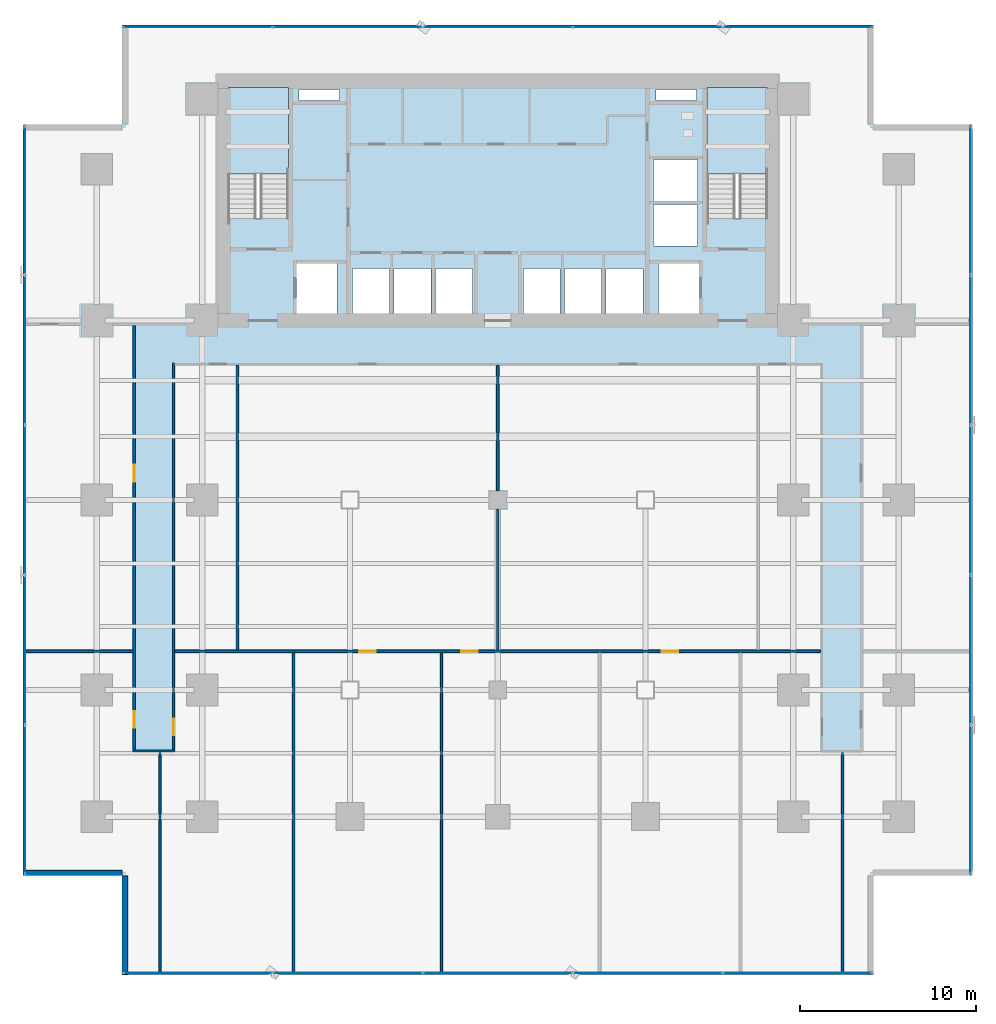
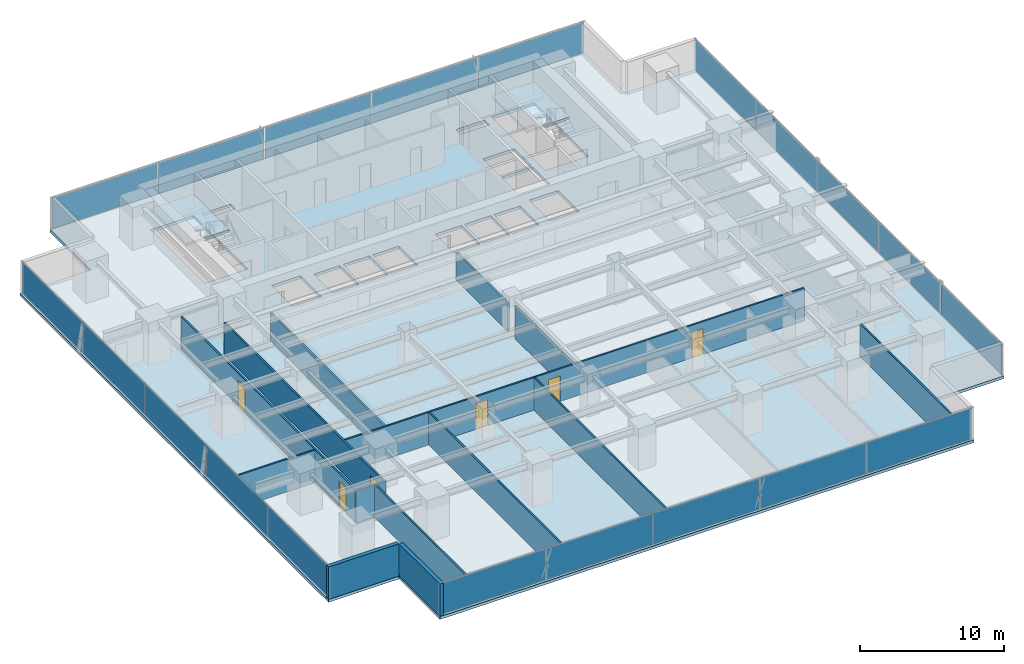
# One storey, part 24 of 33: 20 plates, 14 walls, 6 doors, 3 slabs, 6 openings, 6 elements without a shape of their own.
"""IFC4 building model written with IfcOpenShell, lengths in metres."""

from ifc_helpers import new_model, si_unit, direction, frame, frame_2d, origin, origin_2d, place, context, subcontext, project, spatial, polyline, rectangle, outline, extrude, source, transform, mapped, material, layer, layer_set, type_object, element, fill, aggregate, save


model = new_model("IFC4")

# Units and contexts
model_context = context("Model", 3, precision=1e-05, world=origin(), true_north=direction((0.0, 1.0)))
body_context = subcontext(model_context, "Body", "Model", "MODEL_VIEW")
ifc_project = project(units=[si_unit("LENGTHUNIT", "METRE"), si_unit("AREAUNIT", "SQUARE_METRE"), si_unit("VOLUMEUNIT", "CUBIC_METRE"), si_unit("PLANEANGLEUNIT", "RADIAN"), si_unit("MASSUNIT", "GRAM", prefix="KILO")], contexts=[model_context])

# Site, building, storey
site_placement = place(None, origin())
site = spatial("IfcSite", under=ifc_project, at=site_placement, CompositionType="ELEMENT")
building_placement = place(site_placement, origin())
building = spatial("IfcBuilding", under=site, at=building_placement, Name="Sumidabori Civic Tower", CompositionType="ELEMENT")
storey_placement = place(building_placement, frame((0.0, 0.0, 38.0)))
storey = spatial("IfcBuildingStorey", under=building, at=storey_placement, Name="L09", CompositionType="ELEMENT", Elevation=38.0)

# Stair, slab
ifc_material_1 = material(Name="Concrete C40/50", Category="concrete")
stair_type = type_object("IfcStairType", Name="ST-CORE-1600", PredefinedType="HALF_TURN_STAIR", material=ifc_material_1)
stair_1_placement = place(storey_placement, origin())
stair_1 = element("IfcStair", 1, at=stair_1_placement, inside=storey, type_object=stair_type, Name="L09 ST-1", PredefinedType="HALF_TURN_STAIR")
ifc_layer_1 = layer(ifc_material_1, 0.199951171875, Name="Concrete C40/50")
ifc_layer_set_1 = layer_set([ifc_layer_1], Name="Concrete C40/50")
slab_type_1 = type_object("IfcSlabType", Name="SL-LAND-200", PredefinedType="LANDING", material=ifc_layer_set_1)
slab_1_placement = place(storey_placement, frame((0.0, 0.0, 1.60009765625)))
slab_1 = element("IfcSlab", 2, at=slab_1_placement, type_object=slab_type_1, Name="ST-1 landing 1", PredefinedType="LANDING", context=body_context, shape_type="SweptSolid", body=[
    extrude(outline(polyline([(-11.89990234375, 18.52001953125), (-11.89990234375, 23.449951171875), (-15.340087890625, 23.449951171875), (-15.340087890625, 18.52001953125), (-11.89990234375, 18.52001953125)])), origin(), (0.0, 0.0, 1.0), 0.199951171875),
])
aggregate(stair_1, [slab_1])

stair_2_placement = place(storey_placement, origin())
stair_2 = element("IfcStair", 3, at=stair_2_placement, inside=storey, type_object=stair_type, Name="L09 ST-2", PredefinedType="HALF_TURN_STAIR")
slab_2_placement = place(storey_placement, frame((0.0, 0.0, 1.60009765625)))
slab_2 = element("IfcSlab", 4, at=slab_2_placement, type_object=slab_type_1, Name="ST-2 landing 1", PredefinedType="LANDING", context=body_context, shape_type="SweptSolid", body=[
    extrude(outline(polyline([(15.340087890625, 18.52001953125), (15.340087890625, 23.449951171875), (11.89990234375, 23.449951171875), (11.89990234375, 18.52001953125), (15.340087890625, 18.52001953125)])), origin(), (0.0, 0.0, 1.0), 0.199951171875),
])
aggregate(stair_2, [slab_2])

# Slab
ifc_layer_2 = layer(ifc_material_1, 0.239990234375, Name="Concrete C40/50")
ifc_layer_set_2 = layer_set([ifc_layer_2], Name="Concrete C40/50")
slab_type_2 = type_object("IfcSlabType", Name="SL-Z1-240", PredefinedType="FLOOR", material=ifc_layer_set_2)
slab_3_placement = place(storey_placement, frame((0.0, 0.0, -0.239990234375)))
element("IfcSlab", 5, at=slab_3_placement, inside=storey, type_object=slab_type_2, Name="Structural Slab L09", PredefinedType="FLOOR", context=body_context, shape_type="SweptSolid", body=[
    extrude(outline(polyline([(-21.35009765625, -27.0), (21.35009765625, -27.0), (21.35009765625, -21.35009765625), (27.0, -21.35009765625), (27.0, 21.35009765625), (21.35009765625, 21.35009765625), (21.35009765625, 27.0), (-21.35009765625, 27.0), (-21.35009765625, 21.35009765625), (-27.0, 21.35009765625), (-27.0, -21.35009765625), (-21.35009765625, -21.35009765625), (-21.35009765625, -27.0)]), holes=[polyline([(-11.89990234375, 16.0), (-11.89990234375, 23.449951171875), (-15.340087890625, 23.449951171875), (-15.340087890625, 16.0), (-11.89990234375, 16.0)]), polyline([(15.340087890625, 16.0), (15.340087890625, 23.449951171875), (11.89990234375, 23.449951171875), (11.89990234375, 16.0), (15.340087890625, 16.0)]), polyline([(-11.449951171875, 10.550048828125), (-9.14990234375, 10.550048828125), (-9.14990234375, 13.449951171875), (-11.449951171875, 13.449951171875), (-11.449951171875, 10.550048828125)]), polyline([(9.14990234375, 10.550048828125), (11.449951171875, 10.550048828125), (11.449951171875, 13.449951171875), (9.14990234375, 13.449951171875), (9.14990234375, 10.550048828125)]), polyline([(-8.25, 10.550048828125), (-6.14990234375, 10.550048828125), (-6.14990234375, 13.14990234375), (-8.25, 13.14990234375), (-8.25, 10.550048828125)]), polyline([(-5.89990234375, 10.550048828125), (-3.800048828125, 10.550048828125), (-3.800048828125, 13.14990234375), (-5.89990234375, 13.14990234375), (-5.89990234375, 10.550048828125)]), polyline([(-3.550048828125, 10.550048828125), (-1.449951171875, 10.550048828125), (-1.449951171875, 13.14990234375), (-3.550048828125, 13.14990234375), (-3.550048828125, 10.550048828125)]), polyline([(1.449951171875, 10.550048828125), (3.550048828125, 10.550048828125), (3.550048828125, 13.14990234375), (1.449951171875, 13.14990234375), (1.449951171875, 10.550048828125)]), polyline([(3.800048828125, 10.550048828125), (5.89990234375, 10.550048828125), (5.89990234375, 13.14990234375), (3.800048828125, 13.14990234375), (3.800048828125, 10.550048828125)]), polyline([(6.14990234375, 10.550048828125), (8.25, 10.550048828125), (8.25, 13.14990234375), (6.14990234375, 13.14990234375), (6.14990234375, 10.550048828125)]), polyline([(8.85009765625, 14.449951171875), (11.35009765625, 14.449951171875), (11.35009765625, 16.800048828125), (8.85009765625, 16.800048828125), (8.85009765625, 14.449951171875)]), polyline([(8.85009765625, 17.0), (11.35009765625, 17.0), (11.35009765625, 19.35009765625), (8.85009765625, 19.35009765625), (8.85009765625, 17.0)]), polyline([(-11.300048828125, 22.719970703125), (-9.0, 22.719970703125), (-9.0, 23.35009765625), (-11.300048828125, 23.35009765625), (-11.300048828125, 22.719970703125)]), polyline([(9.0, 22.719970703125), (11.300048828125, 22.719970703125), (11.300048828125, 23.35009765625), (9.0, 23.35009765625), (9.0, 22.719970703125)])]), origin(), (0.0, 0.0, 1.0), 0.239990234375),
])

# Curtain wall, plates
ifc_material_2 = material(Name="Anodised Bronze Aluminium AW-6063-T6", Category="aluminium")
ifc_layer_3 = layer(ifc_material_2, 0.179931640625, Name="Anodised Bronze Aluminium AW-6063-T6")
ifc_layer_set_3 = layer_set([ifc_layer_3], Name="Anodised Bronze Aluminium AW-6063-T6")
curtain_wall_type = type_object("IfcCurtainWallType", Name="CW-SYS-2", PredefinedType="NOTDEFINED", material=ifc_layer_set_3)
curtain_wall_1_placement = place(storey_placement, origin())
curtain_wall_1 = element("IfcCurtainWall", 6, at=curtain_wall_1_placement, inside=storey, type_object=curtain_wall_type, Name="Curtain Wall CW:L09:R01", PredefinedType="NOTDEFINED")
ifc_material_3 = material(Name="Low-E Solar-Control Vision Glazing", Category="glass")
ifc_layer_4 = layer(ifc_material_3, 0.028076171875, Name="Low-E Solar-Control Vision Glazing")
ifc_layer_set_4 = layer_set([ifc_layer_4], Name="Low-E Solar-Control Vision Glazing")
plate_type = type_object("IfcPlateType", Name="CW-PNL-28", PredefinedType="CURTAIN_PANEL", material=ifc_layer_set_4)
shared_shape_1 = source(origin(), body_context, "Body", "SweptSolid", [
    extrude(rectangle(XDim=8.423095703125, YDim=0.028076171875, at=origin_2d()), origin(), (0.0, 0.0, 1.0), 2.610107421875),
])
plate_1_placement = place(storey_placement, frame((-17.03857421875, -26.8798828125, 0.06494140625), z_axis=(0.0, 0.0, 1.0), x_axis=(1.0, 0.0, 0.0)))
plate_1 = element("IfcPlate", 7, at=plate_1_placement, type_object=plate_type, Name="CW-2 panel 1.1", PredefinedType="CURTAIN_PANEL", context=body_context, shape_type="MappedRepresentation", body=[
    mapped(shared_shape_1, transform((0.0, 0.0, 0.0), x_axis=(1.0, 0.0, 0.0), y_axis=(0.0, 1.0, 0.0), z_axis=(0.0, 0.0, 1.0), scale=1.0)),
])
plate_2_placement = place(storey_placement, frame((17.03857421875, -26.8798828125, 0.06494140625), z_axis=(0.0, 0.0, 1.0), x_axis=(1.0, 0.0, 0.0)))
plate_2 = element("IfcPlate", 8, at=plate_2_placement, type_object=plate_type, Name="CW-2 panel 5.1", PredefinedType="CURTAIN_PANEL", context=body_context, shape_type="MappedRepresentation", body=[
    mapped(shared_shape_1, transform((0.0, 0.0, 0.0), x_axis=(1.0, 0.0, 0.0), y_axis=(0.0, 1.0, 0.0), z_axis=(0.0, 0.0, 1.0), scale=1.0)),
])

curtain_wall_2_placement = place(storey_placement, origin())
curtain_wall_2 = element("IfcCurtainWall", 9, at=curtain_wall_2_placement, inside=storey, type_object=curtain_wall_type, Name="Curtain Wall CW:L09:R04", PredefinedType="NOTDEFINED")
plate_3_placement = place(storey_placement, frame((26.8798828125, -17.03857421875, 0.06494140625), z_axis=(0.0, 0.0, 1.0), x_axis=(0.0, 1.0, 0.0)))
plate_3 = element("IfcPlate", 10, at=plate_3_placement, type_object=plate_type, Name="CW-2 panel 1.1", PredefinedType="CURTAIN_PANEL", context=body_context, shape_type="MappedRepresentation", body=[
    mapped(shared_shape_1, transform((0.0, 0.0, 0.0), x_axis=(1.0, 0.0, 0.0), y_axis=(0.0, 1.0, 0.0), z_axis=(0.0, 0.0, 1.0), scale=1.0)),
])
plate_4_placement = place(storey_placement, frame((26.8798828125, 17.03857421875, 0.06494140625), z_axis=(0.0, 0.0, 1.0), x_axis=(0.0, 1.0, 0.0)))
plate_4 = element("IfcPlate", 11, at=plate_4_placement, type_object=plate_type, Name="CW-2 panel 5.1", PredefinedType="CURTAIN_PANEL", context=body_context, shape_type="MappedRepresentation", body=[
    mapped(shared_shape_1, transform((0.0, 0.0, 0.0), x_axis=(1.0, 0.0, 0.0), y_axis=(0.0, 1.0, 0.0), z_axis=(0.0, 0.0, 1.0), scale=1.0)),
])

curtain_wall_3_placement = place(storey_placement, origin())
curtain_wall_3 = element("IfcCurtainWall", 12, at=curtain_wall_3_placement, inside=storey, type_object=curtain_wall_type, Name="Curtain Wall CW:L09:R07", PredefinedType="NOTDEFINED")
plate_5_placement = place(storey_placement, frame((17.03857421875, 26.8798828125, 0.06494140625), z_axis=(0.0, 0.0, 1.0), x_axis=(-1.0, 0.0, 0.0)))
plate_5 = element("IfcPlate", 13, at=plate_5_placement, type_object=plate_type, Name="CW-2 panel 1.1", PredefinedType="CURTAIN_PANEL", context=body_context, shape_type="MappedRepresentation", body=[
    mapped(shared_shape_1, transform((0.0, 0.0, 0.0), x_axis=(1.0, 0.0, 0.0), y_axis=(0.0, 1.0, 0.0), z_axis=(0.0, 0.0, 1.0), scale=1.0)),
])
plate_6_placement = place(storey_placement, frame((-17.03857421875, 26.8798828125, 0.06494140625), z_axis=(0.0, 0.0, 1.0), x_axis=(-1.0, 0.0, 0.0)))
plate_6 = element("IfcPlate", 14, at=plate_6_placement, type_object=plate_type, Name="CW-2 panel 5.1", PredefinedType="CURTAIN_PANEL", context=body_context, shape_type="MappedRepresentation", body=[
    mapped(shared_shape_1, transform((0.0, 0.0, 0.0), x_axis=(1.0, 0.0, 0.0), y_axis=(0.0, 1.0, 0.0), z_axis=(0.0, 0.0, 1.0), scale=1.0)),
])

curtain_wall_4_placement = place(storey_placement, origin())
curtain_wall_4 = element("IfcCurtainWall", 15, at=curtain_wall_4_placement, inside=storey, type_object=curtain_wall_type, Name="Curtain Wall CW:L09:R10", PredefinedType="NOTDEFINED")
plate_7_placement = place(storey_placement, frame((-26.8798828125, 17.03857421875, 0.06494140625), z_axis=(0.0, 0.0, 1.0), x_axis=(0.0, -1.0, 0.0)))
plate_7 = element("IfcPlate", 16, at=plate_7_placement, type_object=plate_type, Name="CW-2 panel 1.1", PredefinedType="CURTAIN_PANEL", context=body_context, shape_type="MappedRepresentation", body=[
    mapped(shared_shape_1, transform((0.0, 0.0, 0.0), x_axis=(1.0, 0.0, 0.0), y_axis=(0.0, 1.0, 0.0), z_axis=(0.0, 0.0, 1.0), scale=1.0)),
])
plate_8_placement = place(storey_placement, frame((-26.8798828125, -17.03857421875, 0.06494140625), z_axis=(0.0, 0.0, 1.0), x_axis=(0.0, -1.0, 0.0)))
plate_8 = element("IfcPlate", 17, at=plate_8_placement, type_object=plate_type, Name="CW-2 panel 5.1", PredefinedType="CURTAIN_PANEL", context=body_context, shape_type="MappedRepresentation", body=[
    mapped(shared_shape_1, transform((0.0, 0.0, 0.0), x_axis=(1.0, 0.0, 0.0), y_axis=(0.0, 1.0, 0.0), z_axis=(0.0, 0.0, 1.0), scale=1.0)),
])

# Plate
shared_shape_2 = source(origin(), body_context, "Body", "SweptSolid", [
    extrude(rectangle(XDim=8.4580078125, YDim=0.028076171875, at=origin_2d()), origin(), (0.0, 0.0, 1.0), 2.610107421875),
])
plate_9_placement = place(storey_placement, frame((-8.528076171875, -26.8798828125, 0.06494140625), z_axis=(0.0, 0.0, 1.0), x_axis=(1.0, 0.0, 0.0)))
plate_9 = element("IfcPlate", 18, at=plate_9_placement, type_object=plate_type, Name="CW-2 panel 2.1", PredefinedType="CURTAIN_PANEL", context=body_context, shape_type="MappedRepresentation", body=[
    mapped(shared_shape_2, transform((0.0, 0.0, 0.0), x_axis=(1.0, 0.0, 0.0), y_axis=(0.0, 1.0, 0.0), z_axis=(0.0, 0.0, 1.0), scale=1.0)),
])

plate_10_placement = place(storey_placement, frame((0.0, -26.8798828125, 0.06494140625), z_axis=(0.0, 0.0, 1.0), x_axis=(1.0, 0.0, 0.0)))
plate_10 = element("IfcPlate", 19, at=plate_10_placement, type_object=plate_type, Name="CW-2 panel 3.1", PredefinedType="CURTAIN_PANEL", context=body_context, shape_type="MappedRepresentation", body=[
    mapped(shared_shape_2, transform((0.0, 0.0, 0.0), x_axis=(1.0, 0.0, 0.0), y_axis=(0.0, 1.0, 0.0), z_axis=(0.0, 0.0, 1.0), scale=1.0)),
])

plate_11_placement = place(storey_placement, frame((8.528076171875, -26.8798828125, 0.06494140625), z_axis=(0.0, 0.0, 1.0), x_axis=(1.0, 0.0, 0.0)))
plate_11 = element("IfcPlate", 20, at=plate_11_placement, type_object=plate_type, Name="CW-2 panel 4.1", PredefinedType="CURTAIN_PANEL", context=body_context, shape_type="MappedRepresentation", body=[
    mapped(shared_shape_2, transform((0.0, 0.0, 0.0), x_axis=(1.0, 0.0, 0.0), y_axis=(0.0, 1.0, 0.0), z_axis=(0.0, 0.0, 1.0), scale=1.0)),
])

aggregate(curtain_wall_1, [plate_1, plate_9, plate_10, plate_11, plate_2])

plate_12_placement = place(storey_placement, frame((26.8798828125, -8.528076171875, 0.06494140625), z_axis=(0.0, 0.0, 1.0), x_axis=(0.0, 1.0, 0.0)))
plate_12 = element("IfcPlate", 21, at=plate_12_placement, type_object=plate_type, Name="CW-2 panel 2.1", PredefinedType="CURTAIN_PANEL", context=body_context, shape_type="MappedRepresentation", body=[
    mapped(shared_shape_2, transform((0.0, 0.0, 0.0), x_axis=(1.0, 0.0, 0.0), y_axis=(0.0, 1.0, 0.0), z_axis=(0.0, 0.0, 1.0), scale=1.0)),
])

plate_13_placement = place(storey_placement, frame((26.8798828125, 0.0, 0.06494140625), z_axis=(0.0, 0.0, 1.0), x_axis=(0.0, 1.0, 0.0)))
plate_13 = element("IfcPlate", 22, at=plate_13_placement, type_object=plate_type, Name="CW-2 panel 3.1", PredefinedType="CURTAIN_PANEL", context=body_context, shape_type="MappedRepresentation", body=[
    mapped(shared_shape_2, transform((0.0, 0.0, 0.0), x_axis=(1.0, 0.0, 0.0), y_axis=(0.0, 1.0, 0.0), z_axis=(0.0, 0.0, 1.0), scale=1.0)),
])

plate_14_placement = place(storey_placement, frame((26.8798828125, 8.528076171875, 0.06494140625), z_axis=(0.0, 0.0, 1.0), x_axis=(0.0, 1.0, 0.0)))
plate_14 = element("IfcPlate", 23, at=plate_14_placement, type_object=plate_type, Name="CW-2 panel 4.1", PredefinedType="CURTAIN_PANEL", context=body_context, shape_type="MappedRepresentation", body=[
    mapped(shared_shape_2, transform((0.0, 0.0, 0.0), x_axis=(1.0, 0.0, 0.0), y_axis=(0.0, 1.0, 0.0), z_axis=(0.0, 0.0, 1.0), scale=1.0)),
])

aggregate(curtain_wall_2, [plate_3, plate_12, plate_13, plate_14, plate_4])

plate_15_placement = place(storey_placement, frame((8.528076171875, 26.8798828125, 0.06494140625), z_axis=(0.0, 0.0, 1.0), x_axis=(-1.0, 0.0, 0.0)))
plate_15 = element("IfcPlate", 24, at=plate_15_placement, type_object=plate_type, Name="CW-2 panel 2.1", PredefinedType="CURTAIN_PANEL", context=body_context, shape_type="MappedRepresentation", body=[
    mapped(shared_shape_2, transform((0.0, 0.0, 0.0), x_axis=(1.0, 0.0, 0.0), y_axis=(0.0, 1.0, 0.0), z_axis=(0.0, 0.0, 1.0), scale=1.0)),
])

plate_16_placement = place(storey_placement, frame((0.0, 26.8798828125, 0.06494140625), z_axis=(0.0, 0.0, 1.0), x_axis=(-1.0, 0.0, 0.0)))
plate_16 = element("IfcPlate", 25, at=plate_16_placement, type_object=plate_type, Name="CW-2 panel 3.1", PredefinedType="CURTAIN_PANEL", context=body_context, shape_type="MappedRepresentation", body=[
    mapped(shared_shape_2, transform((0.0, 0.0, 0.0), x_axis=(1.0, 0.0, 0.0), y_axis=(0.0, 1.0, 0.0), z_axis=(0.0, 0.0, 1.0), scale=1.0)),
])

plate_17_placement = place(storey_placement, frame((-8.528076171875, 26.8798828125, 0.06494140625), z_axis=(0.0, 0.0, 1.0), x_axis=(-1.0, 0.0, 0.0)))
plate_17 = element("IfcPlate", 26, at=plate_17_placement, type_object=plate_type, Name="CW-2 panel 4.1", PredefinedType="CURTAIN_PANEL", context=body_context, shape_type="MappedRepresentation", body=[
    mapped(shared_shape_2, transform((0.0, 0.0, 0.0), x_axis=(1.0, 0.0, 0.0), y_axis=(0.0, 1.0, 0.0), z_axis=(0.0, 0.0, 1.0), scale=1.0)),
])

aggregate(curtain_wall_3, [plate_5, plate_15, plate_16, plate_17, plate_6])

plate_18_placement = place(storey_placement, frame((-26.8798828125, 8.528076171875, 0.06494140625), z_axis=(0.0, 0.0, 1.0), x_axis=(0.0, -1.0, 0.0)))
plate_18 = element("IfcPlate", 27, at=plate_18_placement, type_object=plate_type, Name="CW-2 panel 2.1", PredefinedType="CURTAIN_PANEL", context=body_context, shape_type="MappedRepresentation", body=[
    mapped(shared_shape_2, transform((0.0, 0.0, 0.0), x_axis=(1.0, 0.0, 0.0), y_axis=(0.0, 1.0, 0.0), z_axis=(0.0, 0.0, 1.0), scale=1.0)),
])

plate_19_placement = place(storey_placement, frame((-26.8798828125, 0.0, 0.06494140625), z_axis=(0.0, 0.0, 1.0), x_axis=(0.0, -1.0, 0.0)))
plate_19 = element("IfcPlate", 28, at=plate_19_placement, type_object=plate_type, Name="CW-2 panel 3.1", PredefinedType="CURTAIN_PANEL", context=body_context, shape_type="MappedRepresentation", body=[
    mapped(shared_shape_2, transform((0.0, 0.0, 0.0), x_axis=(1.0, 0.0, 0.0), y_axis=(0.0, 1.0, 0.0), z_axis=(0.0, 0.0, 1.0), scale=1.0)),
])

plate_20_placement = place(storey_placement, frame((-26.8798828125, -8.528076171875, 0.06494140625), z_axis=(0.0, 0.0, 1.0), x_axis=(0.0, -1.0, 0.0)))
plate_20 = element("IfcPlate", 29, at=plate_20_placement, type_object=plate_type, Name="CW-2 panel 4.1", PredefinedType="CURTAIN_PANEL", context=body_context, shape_type="MappedRepresentation", body=[
    mapped(shared_shape_2, transform((0.0, 0.0, 0.0), x_axis=(1.0, 0.0, 0.0), y_axis=(0.0, 1.0, 0.0), z_axis=(0.0, 0.0, 1.0), scale=1.0)),
])

aggregate(curtain_wall_4, [plate_7, plate_18, plate_19, plate_20, plate_8])

# Walls
ifc_material_4 = material(Name="Precast concrete C40/50", Category="concrete")
ifc_layer_5 = layer(ifc_material_4, 0.300048828125, Name="Precast concrete C40/50")
ifc_layer_set_5 = layer_set([ifc_layer_5], Name="Precast concrete C40/50")
wall_type_1 = type_object("IfcWallType", Name="WL-EXT-POD300", PredefinedType="STANDARD", material=ifc_layer_set_5)
shared_shape_3 = source(origin(), body_context, "Body", "SweptSolid", [
    extrude(rectangle(XDim=5.60986328125, YDim=0.300048828125, at=frame_2d((2.804931640625, 0.0))), origin(), (0.0, 0.0, 1.0), 2.739990234375),
])
for number, where, z_axis, x_axis, name in (
    (30, (-26.97998046875, -21.199951171875, 0.0), (0.0, 0.0, 1.0), (1.0, 0.0, 0.0), "Notched Corner Spandrel Band L09-11"),
    (31, (-21.199951171875, -21.3701171875, 0.0), (0.0, 0.0, 1.0), (0.0, -1.0, 0.0), "Notched Corner Spandrel Band L09-12"),
):
    element("IfcWall", number, at=place(storey_placement, frame(where, z_axis=z_axis, x_axis=x_axis)), inside=storey, type_object=wall_type_1, Name=name, PredefinedType="STANDARD", context=body_context, shape_type="MappedRepresentation", body=[
        mapped(shared_shape_3, transform((0.0, 0.0, 0.0), x_axis=(1.0, 0.0, 0.0), y_axis=(0.0, 1.0, 0.0), z_axis=(0.0, 0.0, 1.0), scale=1.0)),
    ])

# Wall, openings, doors
ifc_material_5 = material(Name="Gypsum Plasterboard Acoustic Partition")
ifc_layer_6 = layer(ifc_material_5, 0.135009765625, Name="Gypsum Plasterboard Acoustic Partition")
ifc_layer_set_6 = layer_set([ifc_layer_6], Name="Gypsum Plasterboard Acoustic Partition")
wall_type_2 = type_object("IfcWallType", Name="WL-PART-135", PredefinedType="PARTITIONING", material=ifc_layer_set_6)
shared_shape_4 = source(origin(), body_context, "Body", "SweptSolid", [
    extrude(rectangle(XDim=24.12255859375, YDim=0.135009765625, at=frame_2d((12.061279296875, 0.0))), origin(), (0.0, 0.0, 1.0), 2.7451171875),
])
wall_1_placement = place(storey_placement, frame((-20.66748046875, -14.195068359375, 0.0), z_axis=(0.0, 0.0, 1.0), x_axis=(0.0, 1.0, 0.0)))
wall_1 = element("IfcWall", 32, at=wall_1_placement, inside=storey, type_object=wall_type_2, Name="Interior Partition WL:L09:CORR-VW-OUT", PredefinedType="PARTITIONING", context=body_context, shape_type="MappedRepresentation", body=[
    mapped(shared_shape_4, transform((0.0, 0.0, 0.0), x_axis=(1.0, 0.0, 0.0), y_axis=(0.0, 1.0, 0.0), z_axis=(0.0, 0.0, 1.0), scale=1.0)),
])
opening_1_placement = place(wall_1_placement, frame((15.237548828125, 0.0, 0.0)))
opening_1 = element("IfcOpeningElement", 33, at=opening_1_placement, cuts=wall_1, Name="Opening DR-2", PredefinedType="OPENING", context=body_context, shape_type="SweptSolid", body=[
    extrude(rectangle(XDim=0.949951171875, YDim=2.14990234375, at=frame_2d((0.47509765625, 1.074951171875))), frame((0.0, 0.07958984375, 0.0), z_axis=(0.0, -1.0, 0.0), x_axis=(1.0, 0.0, 0.0)), (0.0, 0.0, 1.0), 0.158935546875),
])
opening_2_placement = place(wall_1_placement, frame((1.248779296875, 0.0, 0.0)))
opening_2 = element("IfcOpeningElement", 34, at=opening_2_placement, cuts=wall_1, Name="Opening DR-2", PredefinedType="OPENING", context=body_context, shape_type="SweptSolid", body=[
    extrude(rectangle(XDim=0.949951171875, YDim=2.14990234375, at=frame_2d((0.47509765625, 1.074951171875))), frame((0.0, 0.07958984375, 0.0), z_axis=(0.0, -1.0, 0.0), x_axis=(1.0, 0.0, 0.0)), (0.0, 0.0, 1.0), 0.158935546875),
])
ifc_material_6 = material(Name="Japanese Hinoki Timber", Category="wood")
door_type = type_object("IfcDoorType", Name="DR-INT-950", OperationType="NOTDEFINED", PredefinedType="DOOR", material=ifc_material_6)
shared_shape_5 = source(origin(), body_context, "Body", "SweptSolid", [
    extrude(rectangle(XDim=0.949951171875, YDim=2.14990234375, at=frame_2d((0.47509765625, 1.074951171875))), frame((0.0, 0.02490234375, 0.0), z_axis=(0.0, -1.0, 0.0), x_axis=(1.0, 0.0, 0.0)), (0.0, 0.0, 1.0), 0.050048828125),
])
door_1_placement = place(opening_1_placement, origin())
door_1 = element("IfcDoor", 35, at=door_1_placement, inside=storey, type_object=door_type, Name="Door DR:L09:D01", OperationType="SINGLE_SWING_LEFT", OverallHeight=2.14990234375, OverallWidth=0.949951171875, PredefinedType="DOOR", context=body_context, shape_type="MappedRepresentation", body=[
    mapped(shared_shape_5, transform((0.0, 0.0, 0.0), x_axis=(1.0, 0.0, 0.0), y_axis=(0.0, 1.0, 0.0), z_axis=(0.0, 0.0, 1.0), scale=1.0)),
])
fill(opening_1, door_1)
door_2_placement = place(opening_2_placement, origin())
door_2 = element("IfcDoor", 36, at=door_2_placement, inside=storey, type_object=door_type, Name="Door DR:L09:D08", OperationType="SINGLE_SWING_RIGHT", OverallHeight=2.14990234375, OverallWidth=0.949951171875, PredefinedType="DOOR", context=body_context, shape_type="MappedRepresentation", body=[
    mapped(shared_shape_5, transform((0.0, 0.0, 0.0), x_axis=(1.0, 0.0, 0.0), y_axis=(0.0, 1.0, 0.0), z_axis=(0.0, 0.0, 1.0), scale=1.0)),
])
fill(opening_2, door_2)

# Wall, opening, door
shared_shape_6 = source(origin(), body_context, "Body", "SweptSolid", [
    extrude(rectangle(XDim=21.9951171875, YDim=0.135009765625, at=frame_2d((10.99755859375, 0.0))), origin(), (0.0, 0.0, 1.0), 2.7451171875),
])
wall_2_placement = place(storey_placement, frame((-18.4326171875, -14.195068359375, 0.0), z_axis=(0.0, 0.0, 1.0), x_axis=(0.0, 1.0, 0.0)))
wall_2 = element("IfcWall", 37, at=wall_2_placement, inside=storey, type_object=wall_type_2, Name="Interior Partition WL:L09:CORR-VW-IN", PredefinedType="PARTITIONING", context=body_context, shape_type="MappedRepresentation", body=[
    mapped(shared_shape_6, transform((0.0, 0.0, 0.0), x_axis=(1.0, 0.0, 0.0), y_axis=(0.0, 1.0, 0.0), z_axis=(0.0, 0.0, 1.0), scale=1.0)),
])
opening_3_placement = place(wall_2_placement, frame((0.80859375, 0.0, 0.0)))
opening_3 = element("IfcOpeningElement", 38, at=opening_3_placement, cuts=wall_2, Name="Opening DR-2", PredefinedType="OPENING", context=body_context, shape_type="SweptSolid", body=[
    extrude(rectangle(XDim=0.949951171875, YDim=2.14990234375, at=frame_2d((0.47509765625, 1.074951171875))), frame((0.0, 0.07958984375, 0.0), z_axis=(0.0, -1.0, 0.0), x_axis=(1.0, 0.0, 0.0)), (0.0, 0.0, 1.0), 0.158935546875),
])
door_3_placement = place(opening_3_placement, origin())
door_3 = element("IfcDoor", 39, at=door_3_placement, inside=storey, type_object=door_type, Name="Door DR:L09:D09", OperationType="SINGLE_SWING_LEFT", OverallHeight=2.14990234375, OverallWidth=0.949951171875, PredefinedType="DOOR", context=body_context, shape_type="MappedRepresentation", body=[
    mapped(shared_shape_5, transform((0.0, 0.0, 0.0), x_axis=(1.0, 0.0, 0.0), y_axis=(0.0, 1.0, 0.0), z_axis=(0.0, 0.0, 1.0), scale=1.0)),
])
fill(opening_3, door_3)

# Wall
shared_shape_7 = source(origin(), body_context, "Body", "SweptSolid", [
    extrude(rectangle(XDim=6.110107421875, YDim=0.135009765625, at=frame_2d((3.05517578125, 0.0))), origin(), (0.0, 0.0, 1.0), 2.7451171875),
])
wall_3_placement = place(storey_placement, frame((-26.85009765625, -8.60009765625, 0.0), z_axis=(0.0, 0.0, 1.0), x_axis=(1.0, 0.0, 0.0)))
element("IfcWall", 40, at=wall_3_placement, inside=storey, type_object=wall_type_2, Name="Interior Partition WL:L09:BAND-Y-1", PredefinedType="PARTITIONING", context=body_context, shape_type="MappedRepresentation", body=[
    mapped(shared_shape_7, transform((0.0, 0.0, 0.0), x_axis=(1.0, 0.0, 0.0), y_axis=(0.0, 1.0, 0.0), z_axis=(0.0, 0.0, 1.0), scale=1.0)),
])

# Wall, openings, doors
shared_shape_8 = source(origin(), body_context, "Body", "SweptSolid", [
    extrude(rectangle(XDim=36.72021484375, YDim=0.135009765625, at=frame_2d((18.360107421875, 0.0))), origin(), (0.0, 0.0, 1.0), 2.7451171875),
])
wall_4_placement = place(storey_placement, frame((-18.360107421875, -8.60009765625, 0.0), z_axis=(0.0, 0.0, 1.0), x_axis=(1.0, 0.0, 0.0)))
wall_4 = element("IfcWall", 41, at=wall_4_placement, inside=storey, type_object=wall_type_2, Name="Interior Partition WL:L09:BAND-Y-2", PredefinedType="PARTITIONING", context=body_context, shape_type="MappedRepresentation", body=[
    mapped(shared_shape_8, transform((0.0, 0.0, 0.0), x_axis=(1.0, 0.0, 0.0), y_axis=(0.0, 1.0, 0.0), z_axis=(0.0, 0.0, 1.0), scale=1.0)),
])
opening_4_placement = place(wall_4_placement, frame((10.485107421875, 0.0, 0.0)))
opening_4 = element("IfcOpeningElement", 42, at=opening_4_placement, cuts=wall_4, Name="Opening DR-2", PredefinedType="OPENING", context=body_context, shape_type="SweptSolid", body=[
    extrude(rectangle(XDim=0.949951171875, YDim=2.14990234375, at=frame_2d((0.47509765625, 1.074951171875))), frame((0.0, 0.07958984375, 0.0), z_axis=(0.0, -1.0, 0.0), x_axis=(1.0, 0.0, 0.0)), (0.0, 0.0, 1.0), 0.158935546875),
])
opening_5_placement = place(wall_4_placement, frame((16.284912109375, 0.0, 0.0)))
opening_5 = element("IfcOpeningElement", 43, at=opening_5_placement, cuts=wall_4, Name="Opening DR-2", PredefinedType="OPENING", context=body_context, shape_type="SweptSolid", body=[
    extrude(rectangle(XDim=0.949951171875, YDim=2.14990234375, at=frame_2d((0.47509765625, 1.074951171875))), frame((0.0, 0.07958984375, 0.0), z_axis=(0.0, -1.0, 0.0), x_axis=(1.0, 0.0, 0.0)), (0.0, 0.0, 1.0), 0.158935546875),
])
opening_6_placement = place(wall_4_placement, frame((27.68505859375, 0.0, 0.0)))
opening_6 = element("IfcOpeningElement", 44, at=opening_6_placement, cuts=wall_4, Name="Opening DR-2", PredefinedType="OPENING", context=body_context, shape_type="SweptSolid", body=[
    extrude(rectangle(XDim=0.949951171875, YDim=2.14990234375, at=frame_2d((0.47509765625, 1.074951171875))), frame((0.0, 0.07958984375, 0.0), z_axis=(0.0, -1.0, 0.0), x_axis=(1.0, 0.0, 0.0)), (0.0, 0.0, 1.0), 0.158935546875),
])
door_4_placement = place(opening_4_placement, origin())
door_4 = element("IfcDoor", 45, at=door_4_placement, inside=storey, type_object=door_type, Name="Door DR:L09:D12", OperationType="SINGLE_SWING_RIGHT", OverallHeight=2.14990234375, OverallWidth=0.949951171875, PredefinedType="DOOR", context=body_context, shape_type="MappedRepresentation", body=[
    mapped(shared_shape_5, transform((0.0, 0.0, 0.0), x_axis=(1.0, 0.0, 0.0), y_axis=(0.0, 1.0, 0.0), z_axis=(0.0, 0.0, 1.0), scale=1.0)),
])
fill(opening_4, door_4)
door_5_placement = place(opening_5_placement, origin())
door_5 = element("IfcDoor", 46, at=door_5_placement, inside=storey, type_object=door_type, Name="Door DR:L09:D13", OperationType="SINGLE_SWING_LEFT", OverallHeight=2.14990234375, OverallWidth=0.949951171875, PredefinedType="DOOR", context=body_context, shape_type="MappedRepresentation", body=[
    mapped(shared_shape_5, transform((0.0, 0.0, 0.0), x_axis=(1.0, 0.0, 0.0), y_axis=(0.0, 1.0, 0.0), z_axis=(0.0, 0.0, 1.0), scale=1.0)),
])
fill(opening_5, door_5)
door_6_placement = place(opening_6_placement, origin())
door_6 = element("IfcDoor", 47, at=door_6_placement, inside=storey, type_object=door_type, Name="Door DR:L09:D14", OperationType="SINGLE_SWING_RIGHT", OverallHeight=2.14990234375, OverallWidth=0.949951171875, PredefinedType="DOOR", context=body_context, shape_type="MappedRepresentation", body=[
    mapped(shared_shape_5, transform((0.0, 0.0, 0.0), x_axis=(1.0, 0.0, 0.0), y_axis=(0.0, 1.0, 0.0), z_axis=(0.0, 0.0, 1.0), scale=1.0)),
])
fill(opening_6, door_6)

# Walls
shared_shape_9 = source(origin(), body_context, "Body", "SweptSolid", [
    extrude(rectangle(XDim=16.1875, YDim=0.135009765625, at=frame_2d((8.09375, 0.0))), origin(), (0.0, 0.0, 1.0), 2.3701171875),
])
wall_5_placement = place(storey_placement, frame((-14.800048828125, -8.527587890625, 0.0), z_axis=(0.0, 0.0, 1.0), x_axis=(0.0, 1.0, 0.0)))
element("IfcWall", 48, at=wall_5_placement, inside=storey, type_object=wall_type_2, Name="Interior Partition WL:L09:VX-N1", PredefinedType="PARTITIONING", context=body_context, shape_type="MappedRepresentation", body=[
    mapped(shared_shape_9, transform((0.0, 0.0, 0.0), x_axis=(1.0, 0.0, 0.0), y_axis=(0.0, 1.0, 0.0), z_axis=(0.0, 0.0, 1.0), scale=1.0)),
])
shared_shape_10 = source(origin(), body_context, "Body", "SweptSolid", [
    extrude(rectangle(XDim=8.017578125, YDim=0.135009765625, at=frame_2d((4.0087890625, 0.0))), origin(), (0.0, 0.0, 1.0), 2.7451171875),
])
wall_6_placement = place(storey_placement, frame((0.0, -8.527587890625, 0.0), z_axis=(0.0, 0.0, 1.0), x_axis=(0.0, 1.0, 0.0)))
element("IfcWall", 49, at=wall_6_placement, inside=storey, type_object=wall_type_2, Name="Interior Partition WL:L09:VX-N2-1", PredefinedType="PARTITIONING", context=body_context, shape_type="MappedRepresentation", body=[
    mapped(shared_shape_10, transform((0.0, 0.0, 0.0), x_axis=(1.0, 0.0, 0.0), y_axis=(0.0, 1.0, 0.0), z_axis=(0.0, 0.0, 1.0), scale=1.0)),
])
shared_shape_11 = source(origin(), body_context, "Body", "SweptSolid", [
    extrude(rectangle(XDim=7.14990234375, YDim=0.135009765625, at=frame_2d((3.574951171875, 0.0))), origin(), (0.0, 0.0, 1.0), 2.3701171875),
])
wall_7_placement = place(storey_placement, frame((0.0, 0.510009765625, 0.0), z_axis=(0.0, 0.0, 1.0), x_axis=(0.0, 1.0, 0.0)))
element("IfcWall", 50, at=wall_7_placement, inside=storey, type_object=wall_type_2, Name="Interior Partition WL:L09:VX-N2-2", PredefinedType="PARTITIONING", context=body_context, shape_type="MappedRepresentation", body=[
    mapped(shared_shape_11, transform((0.0, 0.0, 0.0), x_axis=(1.0, 0.0, 0.0), y_axis=(0.0, 1.0, 0.0), z_axis=(0.0, 0.0, 1.0), scale=1.0)),
])
shared_shape_12 = source(origin(), body_context, "Body", "SweptSolid", [
    extrude(rectangle(XDim=12.510009765625, YDim=0.135009765625, at=frame_2d((6.2548828125, 0.0))), origin(), (0.0, 0.0, 1.0), 2.7451171875),
])
for number, where, z_axis, x_axis, name in (
    (51, (-19.199951171875, -26.85009765625, 0.0), (0.0, 0.0, 1.0), (0.0, 1.0, 0.0), "Interior Partition WL:L09:VX-S1"),
    (52, (19.60009765625, -26.85009765625, 0.0), (0.0, 0.0, 1.0), (0.0, 1.0, 0.0), "Interior Partition WL:L09:VX-S6"),
):
    element("IfcWall", number, at=place(storey_placement, frame(where, z_axis=z_axis, x_axis=x_axis)), inside=storey, type_object=wall_type_2, Name=name, PredefinedType="PARTITIONING", context=body_context, shape_type="MappedRepresentation", body=[
        mapped(shared_shape_12, transform((0.0, 0.0, 0.0), x_axis=(1.0, 0.0, 0.0), y_axis=(0.0, 1.0, 0.0), z_axis=(0.0, 0.0, 1.0), scale=1.0)),
    ])
shared_shape_13 = source(origin(), body_context, "Body", "SweptSolid", [
    extrude(rectangle(XDim=18.177490234375, YDim=0.135009765625, at=frame_2d((9.0888671875, 0.0))), origin(), (0.0, 0.0, 1.0), 2.7451171875),
])
for number, where, z_axis, x_axis, name in (
    (53, (-11.60009765625, -26.85009765625, 0.0), (0.0, 0.0, 1.0), (0.0, 1.0, 0.0), "Interior Partition WL:L09:VX-S2"),
    (54, (-3.199951171875, -26.85009765625, 0.0), (0.0, 0.0, 1.0), (0.0, 1.0, 0.0), "Interior Partition WL:L09:VX-S3"),
):
    element("IfcWall", number, at=place(storey_placement, frame(where, z_axis=z_axis, x_axis=x_axis)), inside=storey, type_object=wall_type_2, Name=name, PredefinedType="PARTITIONING", context=body_context, shape_type="MappedRepresentation", body=[
        mapped(shared_shape_13, transform((0.0, 0.0, 0.0), x_axis=(1.0, 0.0, 0.0), y_axis=(0.0, 1.0, 0.0), z_axis=(0.0, 0.0, 1.0), scale=1.0)),
    ])
shared_shape_14 = source(origin(), body_context, "Body", "SweptSolid", [
    extrude(rectangle(XDim=2.3701171875, YDim=0.135009765625, at=frame_2d((1.18505859375, 0.0))), origin(), (0.0, 0.0, 1.0), 2.7451171875),
])
wall_8_placement = place(storey_placement, frame((-20.735107421875, -14.267578125, 0.0), z_axis=(0.0, 0.0, 1.0), x_axis=(1.0, 0.0, 0.0)))
element("IfcWall", 55, at=wall_8_placement, inside=storey, type_object=wall_type_2, Name="Interior Partition WL:L09:CORR-CAP-W", PredefinedType="PARTITIONING", context=body_context, shape_type="MappedRepresentation", body=[
    mapped(shared_shape_14, transform((0.0, 0.0, 0.0), x_axis=(1.0, 0.0, 0.0), y_axis=(0.0, 1.0, 0.0), z_axis=(0.0, 0.0, 1.0), scale=1.0)),
])

save(model, "model.ifc")
